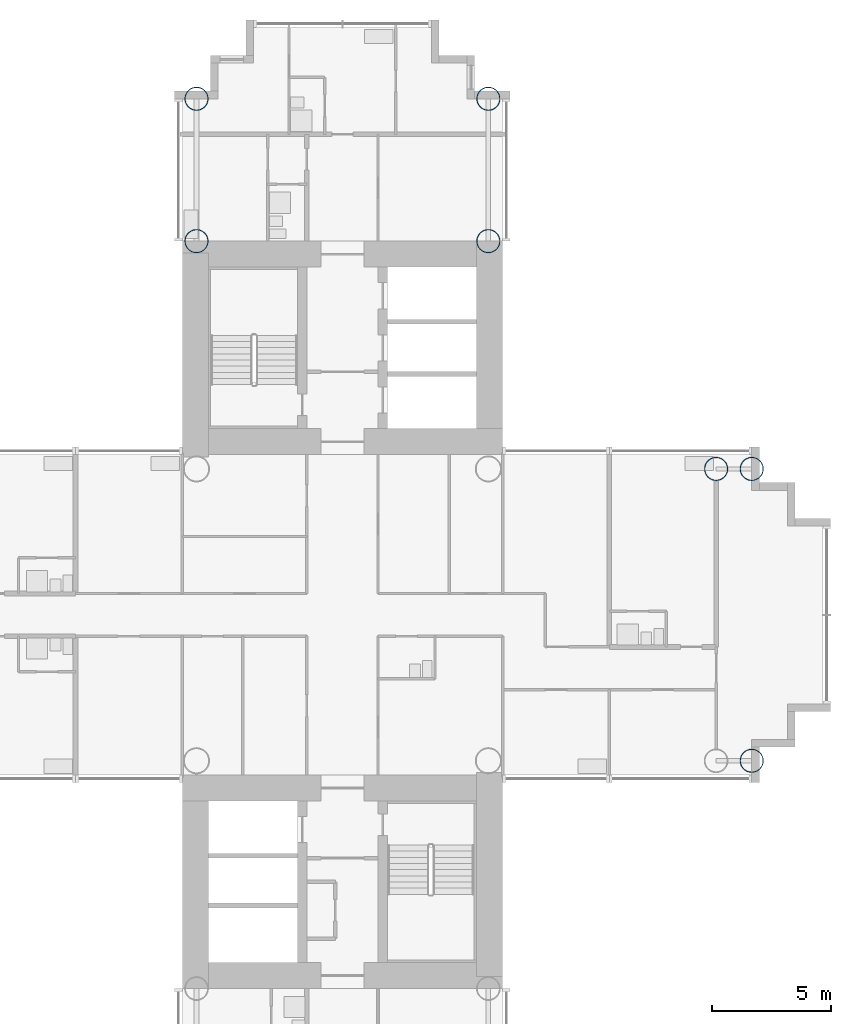
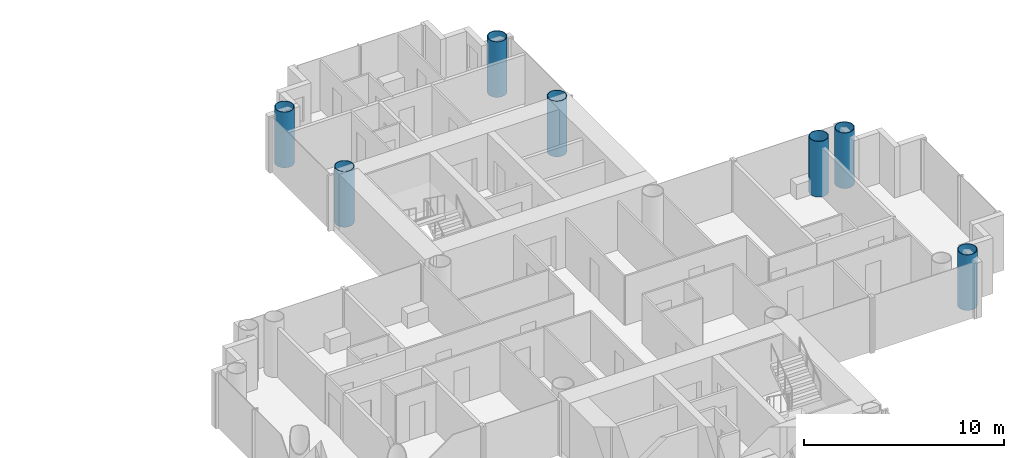
# One storey, part 2 of 21: 7 columns.
"""IFC4 building model written with IfcOpenShell, lengths in metres."""

from ifc_helpers import new_model, si_unit, direction, frame, origin, origin_2d, place, context, subcontext, project, spatial, hollow_circle, extrude, material, material_profile, profile_set, type_object, element, save


model = new_model("IFC4")

# Units and contexts
model_context = context("Model", 3, precision=1e-05, world=origin(), true_north=direction((0.0, 1.0)))
body_context = subcontext(model_context, "Body", "Model", "MODEL_VIEW")
ifc_project = project(units=[si_unit("LENGTHUNIT", "METRE"), si_unit("AREAUNIT", "SQUARE_METRE"), si_unit("VOLUMEUNIT", "CUBIC_METRE"), si_unit("PLANEANGLEUNIT", "RADIAN"), si_unit("MASSUNIT", "GRAM", prefix="KILO")], contexts=[model_context])

# Site, building, storey
site_placement = place(None, origin())
site = spatial("IfcSite", under=ifc_project, at=site_placement, CompositionType="ELEMENT")
building_placement = place(site_placement, origin())
building = spatial("IfcBuilding", under=site, at=building_placement, Name="Ipe Terrace Towers", CompositionType="ELEMENT")
storey_placement = place(building_placement, frame((0.0, 0.0, 41.5)))
storey = spatial("IfcBuildingStorey", under=building, at=storey_placement, Name="L10", CompositionType="ELEMENT", Elevation=41.5)

# Columns
ifc_material = material(Name="Steel S355 tube with Concrete C60/75 fill", Category="concrete")
ifc_material_profile = material_profile(ifc_material, hollow_circle(Radius=0.5, WallThickness=0.035888671875, at=origin_2d()), Name="CHS-1000x36")
ifc_profile_set = profile_set([ifc_material_profile], Name="Steel S355 tube with Concrete C60/75 fill")
column_type = type_object("IfcColumnType", Name="CH01 COLUMN CHS-1000x36", PredefinedType="COLUMN", material=ifc_profile_set)
for number, where, z_axis, x_axis, name in (
    (1, (42.14990234375, 15.75, 0.0), (0.0, 0.0, 1.0), (1.0, 0.0, 0.0), "Column T2-C-A01"),
    (2, (29.85009765625, 15.75, 0.0), (0.0, 0.0, 1.0), (1.0, 0.0, 0.0), "Column T2-C-A02"),
    (3, (42.14990234375, 21.75, 0.0), (0.0, 0.0, 1.0), (1.0, 0.0, 0.0), "Column T2-C-A03"),
    (4, (29.85009765625, 21.75, 0.0), (0.0, 0.0, 1.0), (1.0, 0.0, 0.0), "Column T2-C-A04"),
    (5, (51.75, 6.14990234375, 0.0), (0.0, 0.0, 1.0), (1.0, 0.0, 0.0), "Column T2-C-D04"),
    (6, (53.25, -6.14990234375, 0.0), (0.0, 0.0, 1.0), (1.0, 0.0, 0.0), "Column T2-C-D05"),
    (7, (53.25, 6.14990234375, 0.0), (0.0, 0.0, 1.0), (1.0, 0.0, 0.0), "Column T2-C-D06"),
):
    element("IfcColumn", number, at=place(storey_placement, frame(where, z_axis=z_axis, x_axis=x_axis)), inside=storey, type_object=column_type, Name=name, PredefinedType="COLUMN", context=body_context, shape_type="SweptSolid", body=[
        extrude(hollow_circle(Radius=0.5, WallThickness=0.035888671875, at=origin_2d()), origin(), (0.0, 0.0, 1.0), 3.39990234375),
    ])

save(model, "model.ifc")
